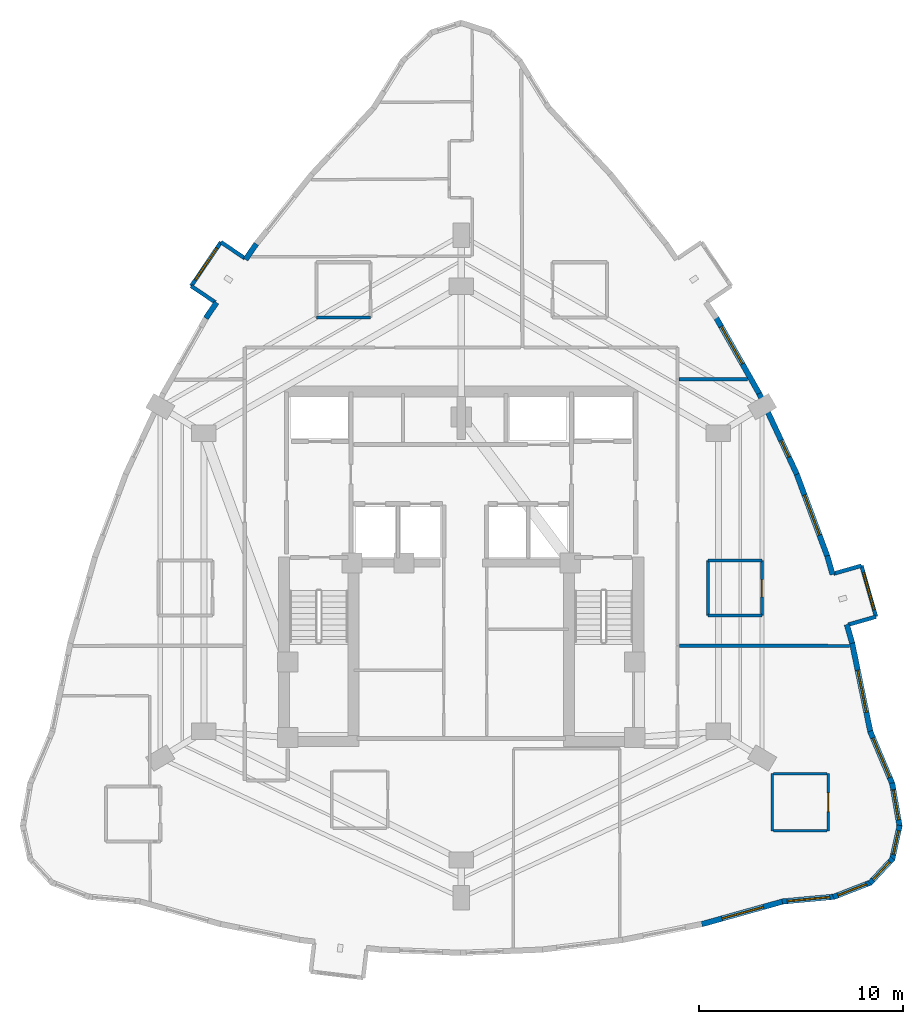
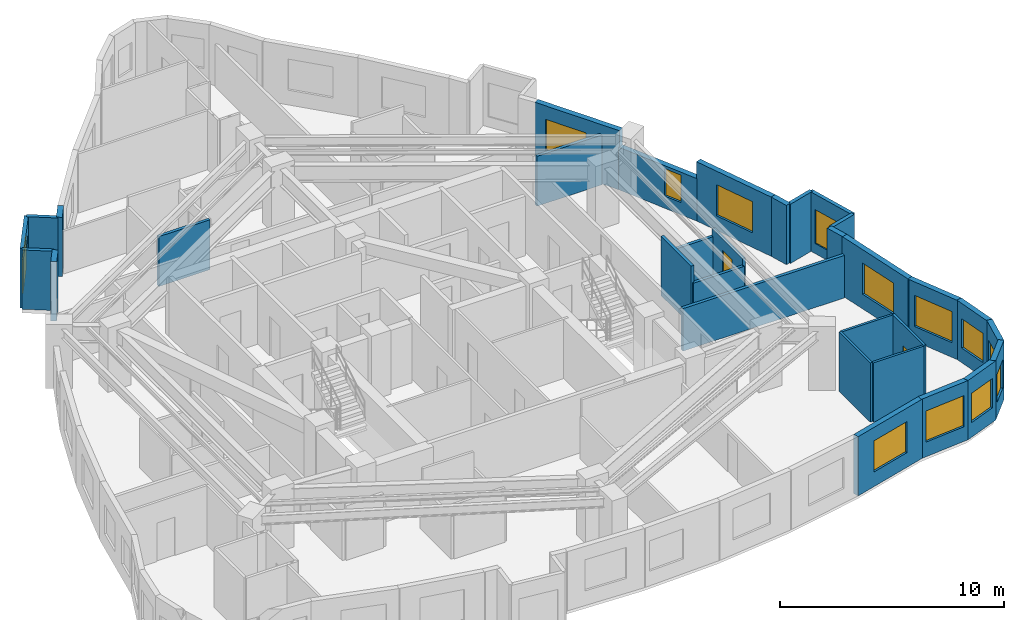
# One storey, part 8 of 11: 32 walls, 13 windows, 2 doors, 15 openings.
"""IFC4 building model written with IfcOpenShell, lengths in metres."""

from ifc_helpers import new_model, si_unit, direction, frame, frame_2d, origin, place, context, subcontext, project, spatial, rectangle, extrude, material, layer, layer_set, type_object, element, fill, save


model = new_model("IFC4")

# Units and contexts
model_context = context("Model", 3, precision=1e-05, world=origin(), true_north=direction((0.0, 1.0)))
body_context = subcontext(model_context, "Body", "Model", "MODEL_VIEW")
ifc_project = project(units=[si_unit("LENGTHUNIT", "METRE"), si_unit("AREAUNIT", "SQUARE_METRE"), si_unit("VOLUMEUNIT", "CUBIC_METRE"), si_unit("PLANEANGLEUNIT", "RADIAN"), si_unit("MASSUNIT", "GRAM", prefix="KILO")], contexts=[model_context])

# Site, building, storey
site_placement = place(None, origin())
site = spatial("IfcSite", under=ifc_project, at=site_placement, CompositionType="ELEMENT")
building_placement = place(site_placement, origin())
building = spatial("IfcBuilding", under=site, at=building_placement, Name="Miruveldt Soraemaru", CompositionType="ELEMENT")
storey_placement = place(building_placement, frame((0.0, 0.0, 149.39990234375)))
storey = spatial("IfcBuildingStorey", under=building, at=storey_placement, Name="L41", CompositionType="ELEMENT", Elevation=149.39990234375)

# Walls
ifc_material_1 = material(Name="White powder-coated aluminium EN AW-6060 T6", Category="aluminium")
ifc_layer_1 = layer(ifc_material_1, 0.18994140625, Name="White powder-coated aluminium EN AW-6060 T6", Category="aluminium")
ifc_layer_set_1 = layer_set([ifc_layer_1], Name="White powder-coated aluminium EN AW-6060 T6")
wall_type_1 = type_object("IfcWallType", Name="WALL-BAY-ALU190", PredefinedType="SOLIDWALL", material=ifc_layer_set_1)
wall_1_placement = place(storey_placement, frame((33.4111328125, 58.968505859375, 0.0), z_axis=(0.0, 0.0, 1.0), x_axis=(-0.82794178844, 0.560814046681, 0.0)))
element("IfcWall", 1, at=wall_1_placement, inside=storey, type_object=wall_type_1, Name="L41 Bay Window Side Cheek 4L", PredefinedType="SOLIDWALL", context=body_context, shape_type="SweptSolid", body=[
    extrude(rectangle(XDim=1.4248046875, YDim=0.18994140625, at=frame_2d((0.71240234375, 0.0))), origin(), (0.0, 0.0, 1.0), 3.235107421875),
])
wall_2_placement = place(storey_placement, frame((30.773193359375, 57.614990234375, 0.0), z_axis=(0.0, 0.0, 1.0), x_axis=(0.827995667279, -0.560734495966, 0.0)))
element("IfcWall", 2, at=wall_2_placement, inside=storey, type_object=wall_type_1, Name="L41 Bay Window Side Cheek 4R", PredefinedType="SOLIDWALL", context=body_context, shape_type="SweptSolid", body=[
    extrude(rectangle(XDim=1.425048828125, YDim=0.18994140625, at=frame_2d((0.71240234375, 0.0))), origin(), (0.0, 0.0, 1.0), 3.235107421875),
])

# Wall, opening, window
wall_3_placement = place(storey_placement, frame((32.2314453125, 59.767578125, 0.0), z_axis=(0.0, 0.0, 1.0), x_axis=(-0.560860602504, -0.827910251512, 0.0)))
wall_3 = element("IfcWall", 3, at=wall_3_placement, inside=storey, type_object=wall_type_1, Name="L41 Bay Window Front Frame 4", PredefinedType="SOLIDWALL", context=body_context, shape_type="SweptSolid", body=[
    extrude(rectangle(XDim=2.60009765625, YDim=0.18994140625, at=frame_2d((1.300048828125, 0.0))), origin(), (0.0, 0.0, 1.0), 3.235107421875),
])
opening_1_placement = place(wall_3_placement, frame((0.35009765625, 0.0, 0.550048828125)))
opening_1 = element("IfcOpeningElement", 4, at=opening_1_placement, cuts=wall_3, Name="Opening WN-6", PredefinedType="OPENING", context=body_context, shape_type="SweptSolid", body=[
    extrude(rectangle(XDim=1.89990234375, YDim=1.85009765625, at=frame_2d((0.949951171875, 0.925048828125))), frame((0.0, 0.10498046875, 0.0), z_axis=(0.0, -1.0, 0.0), x_axis=(1.0, 0.0, 0.0)), (0.0, 0.0, 1.0), 0.2099609375),
])
ifc_material_2 = material(Name="Triple low-e insulated glazing", Category="glass")
window_type_1 = type_object("IfcWindowType", Name="WIN-BAYW-1900x1850", PartitioningType="SINGLE_PANEL", PredefinedType="WINDOW", material=ifc_material_2)
window_1_placement = place(opening_1_placement, origin())
window_1 = element("IfcWindow", 5, at=window_1_placement, inside=storey, type_object=window_type_1, Name="L41 Projecting Bay Window 4", OverallHeight=1.85009765625, OverallWidth=1.89990234375, PartitioningType="SINGLE_PANEL", PredefinedType="WINDOW", context=body_context, shape_type="SweptSolid", body=[
    extrude(rectangle(XDim=1.89990234375, YDim=1.85009765625, at=frame_2d((0.949951171875, 0.925048828125))), frame((0.0, 0.030029296875, 0.0), z_axis=(0.0, -1.0, 0.0), x_axis=(1.0, 0.0, 0.0)), (0.0, 0.0, 1.0), 0.06005859375),
])
fill(opening_1, window_1)

# Walls
wall_4_placement = place(storey_placement, frame((62.950927734375, 41.025634765625, 0.0), z_axis=(0.0, 0.0, 1.0), x_axis=(0.961452801096, 0.274970018845, 0.0)))
element("IfcWall", 6, at=wall_4_placement, inside=storey, type_object=wall_type_1, Name="L41 Bay Window Side Cheek 2L", PredefinedType="SOLIDWALL", context=body_context, shape_type="SweptSolid", body=[
    extrude(rectangle(XDim=1.425048828125, YDim=0.18994140625, at=frame_2d((0.71240234375, 0.0))), origin(), (0.0, 0.0, 1.0), 3.235107421875),
])
wall_5_placement = place(storey_placement, frame((63.60595703125, 43.917236328125, 0.0), z_axis=(0.0, 0.0, 1.0), x_axis=(-0.961439844578, -0.275015318223, 0.0)))
element("IfcWall", 7, at=wall_5_placement, inside=storey, type_object=wall_type_1, Name="L41 Bay Window Side Cheek 2R", PredefinedType="SOLIDWALL", context=body_context, shape_type="SweptSolid", body=[
    extrude(rectangle(XDim=1.4248046875, YDim=0.18994140625, at=frame_2d((0.71240234375, 0.0))), origin(), (0.0, 0.0, 1.0), 3.235107421875),
])

# Wall, opening, window
wall_6_placement = place(storey_placement, frame((64.321044921875, 41.41748046875, 0.0), z_axis=(0.0, 0.0, 1.0), x_axis=(-0.275031158597, 0.961435313373, 0.0)))
wall_6 = element("IfcWall", 8, at=wall_6_placement, inside=storey, type_object=wall_type_1, Name="L41 Bay Window Front Frame 2", PredefinedType="SOLIDWALL", context=body_context, shape_type="SweptSolid", body=[
    extrude(rectangle(XDim=2.60009765625, YDim=0.18994140625, at=frame_2d((1.300048828125, 0.0))), origin(), (0.0, 0.0, 1.0), 3.235107421875),
])
opening_2_placement = place(wall_6_placement, frame((0.35009765625, 0.0, 0.550048828125)))
opening_2 = element("IfcOpeningElement", 9, at=opening_2_placement, cuts=wall_6, Name="Opening WN-6", PredefinedType="OPENING", context=body_context, shape_type="SweptSolid", body=[
    extrude(rectangle(XDim=1.89990234375, YDim=1.85009765625, at=frame_2d((0.949951171875, 0.925048828125))), frame((0.0, 0.10498046875, 0.0), z_axis=(0.0, -1.0, 0.0), x_axis=(1.0, 0.0, 0.0)), (0.0, 0.0, 1.0), 0.2099609375),
])
window_2_placement = place(opening_2_placement, origin())
window_2 = element("IfcWindow", 10, at=window_2_placement, inside=storey, type_object=window_type_1, Name="L41 Projecting Bay Window 2", OverallHeight=1.85009765625, OverallWidth=1.89990234375, PartitioningType="SINGLE_PANEL", PredefinedType="WINDOW", context=body_context, shape_type="SweptSolid", body=[
    extrude(rectangle(XDim=1.89990234375, YDim=1.85009765625, at=frame_2d((0.949951171875, 0.925048828125))), frame((0.0, 0.030029296875, 0.0), z_axis=(0.0, -1.0, 0.0), x_axis=(1.0, 0.0, 0.0)), (0.0, 0.0, 1.0), 0.06005859375),
])
fill(opening_2, window_2)

# Walls
ifc_material_3 = material(Name="Precast concrete C45/55 (45 MPa)", Category="concrete")
ifc_layer_2 = layer(ifc_material_3, 0.27001953125, Name="Precast concrete C45/55 (45 MPa)", Category="concrete")
ifc_layer_set_2 = layer_set([ifc_layer_2], Name="Precast concrete C45/55 (45 MPa)")
wall_type_2 = type_object("IfcWallType", Name="WALL-EXT-PC270", PredefinedType="SOLIDWALL", material=ifc_layer_set_2)
for number, where, z_axis, x_axis, name in (
    (11, (33.96142578125, 59.682861328125, 0.0), (0.0, 0.0, 1.0), (-0.56074365682, -0.8279894633, 0.0), "L41 Precast Pier Wall 9A"),
    (12, (32.015380859375, 56.809814453125, 0.0), (0.0, 0.0, 1.0), (-0.56074365682, -0.8279894633, 0.0), "L41 Precast Pier Wall 9B"),
):
    element("IfcWall", number, at=place(storey_placement, frame(where, z_axis=z_axis, x_axis=x_axis)), inside=storey, type_object=wall_type_2, Name=name, PredefinedType="SOLIDWALL", context=body_context, shape_type="SweptSolid", body=[
        extrude(rectangle(XDim=0.929931640625, YDim=0.27001953125, at=frame_2d((0.46484375, 0.0))), origin(), (0.0, 0.0, 1.0), 3.235107421875),
    ])

# Wall, opening, window
wall_7_placement = place(storey_placement, frame((55.78564453125, 26.356689453125, 0.0), z_axis=(0.0, 0.0, 1.0), x_axis=(0.962978032601, 0.269579874485, 0.0)))
wall_7 = element("IfcWall", 13, at=wall_7_placement, inside=storey, type_object=wall_type_2, Name="L41 Precast Concrete Facade Wall 28", PredefinedType="SOLIDWALL", context=body_context, shape_type="SweptSolid", body=[
    extrude(rectangle(XDim=4.161376953125, YDim=0.27001953125, at=frame_2d((2.08056640625, 0.0))), origin(), (0.0, 0.0, 1.0), 3.235107421875),
])
opening_3_placement = place(wall_7_placement, frame((1.030029296875, 0.0, 0.800048828125)))
opening_3 = element("IfcOpeningElement", 14, at=opening_3_placement, cuts=wall_7, Name="Opening WN-1", PredefinedType="OPENING", context=body_context, shape_type="SweptSolid", body=[
    extrude(rectangle(XDim=2.10009765625, YDim=1.699951171875, at=frame_2d((1.050048828125, 0.85009765625))), frame((0.0, 0.14501953125, 0.0), z_axis=(0.0, -1.0, 0.0), x_axis=(1.0, 0.0, 0.0)), (0.0, 0.0, 1.0), 0.2900390625),
])
window_type_2 = type_object("IfcWindowType", Name="WIN-PUNCH-2100x1700", PartitioningType="SINGLE_PANEL", PredefinedType="WINDOW", material=ifc_material_2)
window_3_placement = place(opening_3_placement, origin())
window_3 = element("IfcWindow", 15, at=window_3_placement, inside=storey, type_object=window_type_2, Name="L41 Punched Triple-Glazed Window 28.1", OverallHeight=1.699951171875, OverallWidth=2.10009765625, PartitioningType="SINGLE_PANEL", PredefinedType="WINDOW", context=body_context, shape_type="SweptSolid", body=[
    extrude(rectangle(XDim=2.10009765625, YDim=1.699951171875, at=frame_2d((1.050048828125, 0.85009765625))), frame((0.0, 0.030029296875, 0.0), z_axis=(0.0, -1.0, 0.0), x_axis=(1.0, 0.0, 0.0)), (0.0, 0.0, 1.0), 0.06005859375),
])
fill(opening_3, window_3)

wall_8_placement = place(storey_placement, frame((59.724365234375, 27.466064453125, 0.0), z_axis=(0.0, 0.0, 1.0), x_axis=(0.995768944137, 0.091892382129, 0.0)))
wall_8 = element("IfcWall", 16, at=wall_8_placement, inside=storey, type_object=wall_type_2, Name="L41 Precast Concrete Facade Wall 29", PredefinedType="SOLIDWALL", context=body_context, shape_type="SweptSolid", body=[
    extrude(rectangle(XDim=2.579833984375, YDim=0.27001953125, at=frame_2d((1.2900390625, 0.0))), origin(), (0.0, 0.0, 1.0), 3.235107421875),
])
opening_4_placement = place(wall_8_placement, frame((0.239990234375, 0.0, 0.800048828125)))
opening_4 = element("IfcOpeningElement", 17, at=opening_4_placement, cuts=wall_8, Name="Opening WN-1", PredefinedType="OPENING", context=body_context, shape_type="SweptSolid", body=[
    extrude(rectangle(XDim=2.10009765625, YDim=1.699951171875, at=frame_2d((1.050048828125, 0.85009765625))), frame((0.0, 0.14501953125, 0.0), z_axis=(0.0, -1.0, 0.0), x_axis=(1.0, 0.0, 0.0)), (0.0, 0.0, 1.0), 0.2900390625),
])
window_4_placement = place(opening_4_placement, origin())
window_4 = element("IfcWindow", 18, at=window_4_placement, inside=storey, type_object=window_type_2, Name="L41 Punched Triple-Glazed Window 29.1", OverallHeight=1.699951171875, OverallWidth=2.10009765625, PartitioningType="SINGLE_PANEL", PredefinedType="WINDOW", context=body_context, shape_type="SweptSolid", body=[
    extrude(rectangle(XDim=2.10009765625, YDim=1.699951171875, at=frame_2d((1.050048828125, 0.85009765625))), frame((0.0, 0.030029296875, 0.0), z_axis=(0.0, -1.0, 0.0), x_axis=(1.0, 0.0, 0.0)), (0.0, 0.0, 1.0), 0.06005859375),
])
fill(opening_4, window_4)

wall_9_placement = place(storey_placement, frame((62.2255859375, 27.687255859375, 0.0), z_axis=(0.0, 0.0, 1.0), x_axis=(0.93226989237, 0.361763524668, 0.0)))
wall_9 = element("IfcWall", 19, at=wall_9_placement, inside=storey, type_object=wall_type_2, Name="L41 Precast Concrete Facade Wall 30", PredefinedType="SOLIDWALL", context=body_context, shape_type="SweptSolid", body=[
    extrude(rectangle(XDim=1.98486328125, YDim=0.27001953125, at=frame_2d((0.992431640625, 0.0))), origin(), (0.0, 0.0, 1.0), 3.235107421875),
])
opening_5_placement = place(wall_9_placement, frame((0.241943359375, 0.0, 0.800048828125)))
opening_5 = element("IfcOpeningElement", 20, at=opening_5_placement, cuts=wall_9, Name="Opening WN-3", PredefinedType="OPENING", context=body_context, shape_type="SweptSolid", body=[
    extrude(rectangle(XDim=1.5, YDim=1.60009765625, at=frame_2d((0.75, 0.800048828125))), frame((0.0, 0.14501953125, 0.0), z_axis=(0.0, -1.0, 0.0), x_axis=(1.0, 0.0, 0.0)), (0.0, 0.0, 1.0), 0.2900390625),
])
window_type_3 = type_object("IfcWindowType", Name="WIN-PUNCH-1500x1600", PartitioningType="SINGLE_PANEL", PredefinedType="WINDOW", material=ifc_material_2)
window_5_placement = place(opening_5_placement, origin())
window_5 = element("IfcWindow", 21, at=window_5_placement, inside=storey, type_object=window_type_3, Name="L41 Punched Triple-Glazed Window 30.1", OverallHeight=1.60009765625, OverallWidth=1.5, PartitioningType="SINGLE_PANEL", PredefinedType="WINDOW", context=body_context, shape_type="SweptSolid", body=[
    extrude(rectangle(XDim=1.5, YDim=1.60009765625, at=frame_2d((0.75, 0.800048828125))), frame((0.0, 0.030029296875, 0.0), z_axis=(0.0, -1.0, 0.0), x_axis=(1.0, 0.0, 0.0)), (0.0, 0.0, 1.0), 0.06005859375),
])
fill(opening_5, window_5)

wall_10_placement = place(storey_placement, frame((64.01953125, 28.366943359375, 0.0), z_axis=(0.0, 0.0, 1.0), x_axis=(0.680189136537, 0.733036655657, 0.0)))
wall_10 = element("IfcWall", 22, at=wall_10_placement, inside=storey, type_object=wall_type_2, Name="L41 Precast Concrete Facade Wall 31", PredefinedType="SOLIDWALL", context=body_context, shape_type="SweptSolid", body=[
    extrude(rectangle(XDim=1.64453125, YDim=0.27001953125, at=frame_2d((0.822265625, 0.0))), origin(), (0.0, 0.0, 1.0), 3.235107421875),
])
opening_6_placement = place(wall_10_placement, frame((0.222900390625, 0.0, 0.780029296875)))
opening_6 = element("IfcOpeningElement", 23, at=opening_6_placement, cuts=wall_10, Name="Opening WN-4", PredefinedType="OPENING", context=body_context, shape_type="SweptSolid", body=[
    extrude(rectangle(XDim=1.199951171875, YDim=1.550048828125, at=frame_2d((0.60009765625, 0.77490234375))), frame((0.0, 0.14501953125, 0.0), z_axis=(0.0, -1.0, 0.0), x_axis=(1.0, 0.0, 0.0)), (0.0, 0.0, 1.0), 0.2900390625),
])
window_type_4 = type_object("IfcWindowType", Name="WIN-PUNCH-1200x1550", PartitioningType="SINGLE_PANEL", PredefinedType="WINDOW", material=ifc_material_2)
window_6_placement = place(opening_6_placement, origin())
window_6 = element("IfcWindow", 24, at=window_6_placement, inside=storey, type_object=window_type_4, Name="L41 Punched Triple-Glazed Window 31.1", OverallHeight=1.550048828125, OverallWidth=1.199951171875, PartitioningType="SINGLE_PANEL", PredefinedType="WINDOW", context=body_context, shape_type="SweptSolid", body=[
    extrude(rectangle(XDim=1.199951171875, YDim=1.550048828125, at=frame_2d((0.60009765625, 0.77490234375))), frame((0.0, 0.030029296875, 0.0), z_axis=(0.0, -1.0, 0.0), x_axis=(1.0, 0.0, 0.0)), (0.0, 0.0, 1.0), 0.06005859375),
])
fill(opening_6, window_6)

wall_11_placement = place(storey_placement, frame((65.106689453125, 29.5126953125, 0.0), z_axis=(0.0, 0.0, 1.0), x_axis=(0.215836362182, 0.976429549307, 0.0)))
wall_11 = element("IfcWall", 25, at=wall_11_placement, inside=storey, type_object=wall_type_2, Name="L41 Precast Concrete Facade Wall 32", PredefinedType="SOLIDWALL", context=body_context, shape_type="SweptSolid", body=[
    extrude(rectangle(XDim=1.72509765625, YDim=0.27001953125, at=frame_2d((0.862548828125, 0.0))), origin(), (0.0, 0.0, 1.0), 3.235107421875),
])
opening_7_placement = place(wall_11_placement, frame((0.261962890625, 0.0, 0.780029296875)))
opening_7 = element("IfcOpeningElement", 26, at=opening_7_placement, cuts=wall_11, Name="Opening WN-4", PredefinedType="OPENING", context=body_context, shape_type="SweptSolid", body=[
    extrude(rectangle(XDim=1.199951171875, YDim=1.550048828125, at=frame_2d((0.60009765625, 0.77490234375))), frame((0.0, 0.14501953125, 0.0), z_axis=(0.0, -1.0, 0.0), x_axis=(1.0, 0.0, 0.0)), (0.0, 0.0, 1.0), 0.2900390625),
])
window_7_placement = place(opening_7_placement, origin())
window_7 = element("IfcWindow", 27, at=window_7_placement, inside=storey, type_object=window_type_4, Name="L41 Punched Triple-Glazed Window 32.1", OverallHeight=1.550048828125, OverallWidth=1.199951171875, PartitioningType="SINGLE_PANEL", PredefinedType="WINDOW", context=body_context, shape_type="SweptSolid", body=[
    extrude(rectangle(XDim=1.199951171875, YDim=1.550048828125, at=frame_2d((0.60009765625, 0.77490234375))), frame((0.0, 0.030029296875, 0.0), z_axis=(0.0, -1.0, 0.0), x_axis=(1.0, 0.0, 0.0)), (0.0, 0.0, 1.0), 0.06005859375),
])
fill(opening_7, window_7)

wall_12_placement = place(storey_placement, frame((65.477294921875, 31.12841796875, 0.0), z_axis=(0.0, 0.0, 1.0), x_axis=(-0.169377605591, 0.985551229883, 0.0)))
wall_12 = element("IfcWall", 28, at=wall_12_placement, inside=storey, type_object=wall_type_2, Name="L41 Precast Concrete Facade Wall 33", PredefinedType="SOLIDWALL", context=body_context, shape_type="SweptSolid", body=[
    extrude(rectangle(XDim=2.177978515625, YDim=0.27001953125, at=frame_2d((1.0888671875, 0.0))), origin(), (0.0, 0.0, 1.0), 3.235107421875),
])
opening_8_placement = place(wall_12_placement, frame((0.339111328125, 0.0, 0.800048828125)))
opening_8 = element("IfcOpeningElement", 29, at=opening_8_placement, cuts=wall_12, Name="Opening WN-3", PredefinedType="OPENING", context=body_context, shape_type="SweptSolid", body=[
    extrude(rectangle(XDim=1.5, YDim=1.60009765625, at=frame_2d((0.75, 0.800048828125))), frame((0.0, 0.14501953125, 0.0), z_axis=(0.0, -1.0, 0.0), x_axis=(1.0, 0.0, 0.0)), (0.0, 0.0, 1.0), 0.2900390625),
])
window_8_placement = place(opening_8_placement, origin())
window_8 = element("IfcWindow", 30, at=window_8_placement, inside=storey, type_object=window_type_3, Name="L41 Punched Triple-Glazed Window 33.1", OverallHeight=1.60009765625, OverallWidth=1.5, PartitioningType="SINGLE_PANEL", PredefinedType="WINDOW", context=body_context, shape_type="SweptSolid", body=[
    extrude(rectangle(XDim=1.5, YDim=1.60009765625, at=frame_2d((0.75, 0.800048828125))), frame((0.0, 0.030029296875, 0.0), z_axis=(0.0, -1.0, 0.0), x_axis=(1.0, 0.0, 0.0)), (0.0, 0.0, 1.0), 0.06005859375),
])
fill(opening_8, window_8)

wall_13_placement = place(storey_placement, frame((65.1279296875, 33.208251953125, 0.0), z_axis=(0.0, 0.0, 1.0), x_axis=(-0.388605388091, 0.921404282791, 0.0)))
wall_13 = element("IfcWall", 31, at=wall_13_placement, inside=storey, type_object=wall_type_2, Name="L41 Precast Concrete Facade Wall 34", PredefinedType="SOLIDWALL", context=body_context, shape_type="SweptSolid", body=[
    extrude(rectangle(XDim=2.825927734375, YDim=0.27001953125, at=frame_2d((1.4130859375, 0.0))), origin(), (0.0, 0.0, 1.0), 3.235107421875),
])
opening_9_placement = place(wall_13_placement, frame((0.363037109375, 0.0, 0.800048828125)))
opening_9 = element("IfcOpeningElement", 32, at=opening_9_placement, cuts=wall_13, Name="Opening WN-1", PredefinedType="OPENING", context=body_context, shape_type="SweptSolid", body=[
    extrude(rectangle(XDim=2.10009765625, YDim=1.699951171875, at=frame_2d((1.050048828125, 0.85009765625))), frame((0.0, 0.14501953125, 0.0), z_axis=(0.0, -1.0, 0.0), x_axis=(1.0, 0.0, 0.0)), (0.0, 0.0, 1.0), 0.2900390625),
])
window_9_placement = place(opening_9_placement, origin())
window_9 = element("IfcWindow", 33, at=window_9_placement, inside=storey, type_object=window_type_2, Name="L41 Punched Triple-Glazed Window 34.1", OverallHeight=1.699951171875, OverallWidth=2.10009765625, PartitioningType="SINGLE_PANEL", PredefinedType="WINDOW", context=body_context, shape_type="SweptSolid", body=[
    extrude(rectangle(XDim=2.10009765625, YDim=1.699951171875, at=frame_2d((1.050048828125, 0.85009765625))), frame((0.0, 0.030029296875, 0.0), z_axis=(0.0, -1.0, 0.0), x_axis=(1.0, 0.0, 0.0)), (0.0, 0.0, 1.0), 0.06005859375),
])
fill(opening_9, window_9)

wall_14_placement = place(storey_placement, frame((64.05029296875, 35.74560546875, 0.0), z_axis=(0.0, 0.0, 1.0), x_axis=(-0.201580000439, 0.979472053416, 0.0)))
wall_14 = element("IfcWall", 34, at=wall_14_placement, inside=storey, type_object=wall_type_2, Name="L41 Precast Concrete Facade Wall 35", PredefinedType="SOLIDWALL", context=body_context, shape_type="SweptSolid", body=[
    extrude(rectangle(XDim=4.534423828125, YDim=0.27001953125, at=frame_2d((2.26708984375, 0.0))), origin(), (0.0, 0.0, 1.0), 3.235107421875),
])
opening_10_placement = place(wall_14_placement, frame((1.010009765625, 0.0, 0.800048828125)))
opening_10 = element("IfcOpeningElement", 35, at=opening_10_placement, cuts=wall_14, Name="Opening WN-1", PredefinedType="OPENING", context=body_context, shape_type="SweptSolid", body=[
    extrude(rectangle(XDim=2.10009765625, YDim=1.699951171875, at=frame_2d((1.050048828125, 0.85009765625))), frame((0.0, 0.14501953125, 0.0), z_axis=(0.0, -1.0, 0.0), x_axis=(1.0, 0.0, 0.0)), (0.0, 0.0, 1.0), 0.2900390625),
])
window_10_placement = place(opening_10_placement, origin())
window_10 = element("IfcWindow", 36, at=window_10_placement, inside=storey, type_object=window_type_2, Name="L41 Punched Triple-Glazed Window 35.1", OverallHeight=1.699951171875, OverallWidth=2.10009765625, PartitioningType="SINGLE_PANEL", PredefinedType="WINDOW", context=body_context, shape_type="SweptSolid", body=[
    extrude(rectangle(XDim=2.10009765625, YDim=1.699951171875, at=frame_2d((1.050048828125, 0.85009765625))), frame((0.0, 0.030029296875, 0.0), z_axis=(0.0, -1.0, 0.0), x_axis=(1.0, 0.0, 0.0)), (0.0, 0.0, 1.0), 0.06005859375),
])
fill(opening_10, window_10)

# Walls
for number, where, z_axis, x_axis, name in (
    (37, (63.153076171875, 40.118896484375, 0.0), (0.0, 0.0, 1.0), (-0.274923221722, 0.961466183575, 0.0), "L41 Precast Pier Wall 36A"),
    (38, (62.19140625, 43.4814453125, 0.0), (0.0, 0.0, 1.0), (-0.274923221722, 0.961466183575, 0.0), "L41 Precast Pier Wall 36B"),
):
    element("IfcWall", number, at=place(storey_placement, frame(where, z_axis=z_axis, x_axis=x_axis)), inside=storey, type_object=wall_type_2, Name=name, PredefinedType="SOLIDWALL", context=body_context, shape_type="SweptSolid", body=[
        extrude(rectangle(XDim=0.957275390625, YDim=0.27001953125, at=frame_2d((0.478515625, 0.0))), origin(), (0.0, 0.0, 1.0), 3.235107421875),
    ])

# Wall, opening, window
wall_15_placement = place(storey_placement, frame((61.949951171875, 44.335205078125, 0.0), z_axis=(0.0, 0.0, 1.0), x_axis=(-0.348994381094, 0.937124816641, 0.0)))
wall_15 = element("IfcWall", 39, at=wall_15_placement, inside=storey, type_object=wall_type_2, Name="L41 Precast Concrete Facade Wall 37", PredefinedType="SOLIDWALL", context=body_context, shape_type="SweptSolid", body=[
    extrude(rectangle(XDim=4.400146484375, YDim=0.27001953125, at=frame_2d((2.2001953125, 0.0))), origin(), (0.0, 0.0, 1.0), 3.235107421875),
])
opening_11_placement = place(wall_15_placement, frame((1.14990234375, 0.0, 0.800048828125)))
opening_11 = element("IfcOpeningElement", 40, at=opening_11_placement, cuts=wall_15, Name="Opening WN-1", PredefinedType="OPENING", context=body_context, shape_type="SweptSolid", body=[
    extrude(rectangle(XDim=2.10009765625, YDim=1.699951171875, at=frame_2d((1.050048828125, 0.85009765625))), frame((0.0, 0.14501953125, 0.0), z_axis=(0.0, -1.0, 0.0), x_axis=(1.0, 0.0, 0.0)), (0.0, 0.0, 1.0), 0.2900390625),
])
window_11_placement = place(opening_11_placement, origin())
window_11 = element("IfcWindow", 41, at=window_11_placement, inside=storey, type_object=window_type_2, Name="L41 Punched Triple-Glazed Window 37.1", OverallHeight=1.699951171875, OverallWidth=2.10009765625, PartitioningType="SINGLE_PANEL", PredefinedType="WINDOW", context=body_context, shape_type="SweptSolid", body=[
    extrude(rectangle(XDim=2.10009765625, YDim=1.699951171875, at=frame_2d((1.050048828125, 0.85009765625))), frame((0.0, 0.030029296875, 0.0), z_axis=(0.0, -1.0, 0.0), x_axis=(1.0, 0.0, 0.0)), (0.0, 0.0, 1.0), 0.06005859375),
])
fill(opening_11, window_11)

wall_16_placement = place(storey_placement, frame((60.441162109375, 48.394287109375, 0.0), z_axis=(0.0, 0.0, 1.0), x_axis=(-0.422319922238, 0.906446845259, 0.0)))
wall_16 = element("IfcWall", 42, at=wall_16_placement, inside=storey, type_object=wall_type_2, Name="L41 Precast Concrete Facade Wall 38", PredefinedType="SOLIDWALL", context=body_context, shape_type="SweptSolid", body=[
    extrude(rectangle(XDim=4.372802734375, YDim=0.27001953125, at=frame_2d((2.1865234375, 0.0))), origin(), (0.0, 0.0, 1.0), 2.322998046875),
])
opening_12_placement = place(wall_16_placement, frame((0.925048828125, 0.0, 0.6630859375)))
opening_12 = element("IfcOpeningElement", 43, at=opening_12_placement, cuts=wall_16, Name="Opening WN-7", PredefinedType="OPENING", context=body_context, shape_type="SweptSolid", body=[
    extrude(rectangle(XDim=0.89990234375, YDim=1.5, at=frame_2d((0.449951171875, 0.75))), frame((0.0, 0.14501953125, 0.0), z_axis=(0.0, -1.0, 0.0), x_axis=(1.0, 0.0, 0.0)), (0.0, 0.0, 1.0), 0.2900390625),
])
window_type_5 = type_object("IfcWindowType", Name="WIN-PUNCH-900x1500", PartitioningType="SINGLE_PANEL", PredefinedType="WINDOW", material=ifc_material_2)
window_12_placement = place(opening_12_placement, origin())
window_12 = element("IfcWindow", 44, at=window_12_placement, inside=storey, type_object=window_type_5, Name="L41 Punched Triple-Glazed Window 38.1", OverallHeight=1.5, OverallWidth=0.89990234375, PartitioningType="SINGLE_PANEL", PredefinedType="WINDOW", context=body_context, shape_type="SweptSolid", body=[
    extrude(rectangle(XDim=0.89990234375, YDim=1.5, at=frame_2d((0.449951171875, 0.75))), frame((0.0, 0.030029296875, 0.0), z_axis=(0.0, -1.0, 0.0), x_axis=(1.0, 0.0, 0.0)), (0.0, 0.0, 1.0), 0.06005859375),
])
fill(opening_12, window_12)

wall_17_placement = place(storey_placement, frame((58.626708984375, 52.2958984375, 0.0), z_axis=(0.0, 0.0, 1.0), x_axis=(-0.493412614859, 0.869795373348, 0.0)))
wall_17 = element("IfcWall", 45, at=wall_17_placement, inside=storey, type_object=wall_type_2, Name="L41 Precast Concrete Facade Wall 39", PredefinedType="SOLIDWALL", context=body_context, shape_type="SweptSolid", body=[
    extrude(rectangle(XDim=4.37255859375, YDim=0.27001953125, at=frame_2d((2.186279296875, 0.0))), origin(), (0.0, 0.0, 1.0), 3.235107421875),
])
opening_13_placement = place(wall_17_placement, frame((1.73193359375, 0.0, 0.800048828125)))
opening_13 = element("IfcOpeningElement", 46, at=opening_13_placement, cuts=wall_17, Name="Opening WN-1", PredefinedType="OPENING", context=body_context, shape_type="SweptSolid", body=[
    extrude(rectangle(XDim=2.10009765625, YDim=1.699951171875, at=frame_2d((1.050048828125, 0.85009765625))), frame((0.0, 0.14501953125, 0.0), z_axis=(0.0, -1.0, 0.0), x_axis=(1.0, 0.0, 0.0)), (0.0, 0.0, 1.0), 0.2900390625),
])
window_13_placement = place(opening_13_placement, origin())
window_13 = element("IfcWindow", 47, at=window_13_placement, inside=storey, type_object=window_type_2, Name="L41 Punched Triple-Glazed Window 39.1", OverallHeight=1.699951171875, OverallWidth=2.10009765625, PartitioningType="SINGLE_PANEL", PredefinedType="WINDOW", context=body_context, shape_type="SweptSolid", body=[
    extrude(rectangle(XDim=2.10009765625, YDim=1.699951171875, at=frame_2d((1.050048828125, 0.85009765625))), frame((0.0, 0.030029296875, 0.0), z_axis=(0.0, -1.0, 0.0), x_axis=(1.0, 0.0, 0.0)), (0.0, 0.0, 1.0), 0.06005859375),
])
fill(opening_13, window_13)

# Wall, opening, door
ifc_material_4 = material(Name="Gypsum plasterboard lining", Category="gypsum")
ifc_layer_3 = layer(ifc_material_4, 0.1201171875, Name="Gypsum plasterboard lining", Category="gypsum")
ifc_layer_set_3 = layer_set([ifc_layer_3], Name="Gypsum plasterboard lining")
wall_type_3 = type_object("IfcWallType", Name="WALL-INT-P120", PredefinedType="PARTITIONING", material=ifc_layer_set_3)
wall_18_placement = place(storey_placement, frame((61.97998046875, 30.929931640625, 0.0), z_axis=(0.0, 0.0, 1.0), x_axis=(0.0, 1.0, 0.0)))
wall_18 = element("IfcWall", 48, at=wall_18_placement, inside=storey, type_object=wall_type_3, Name="L41 Partition Wall 55", PredefinedType="PARTITIONING", context=body_context, shape_type="SweptSolid", body=[
    extrude(rectangle(XDim=2.800048828125, YDim=0.1201171875, at=frame_2d((1.39990234375, 0.0))), origin(), (0.0, 0.0, 1.0), 3.235107421875),
])
opening_14_placement = place(wall_18_placement, frame((0.93994140625, 0.0, 0.0)))
opening_14 = element("IfcOpeningElement", 49, at=opening_14_placement, cuts=wall_18, Name="Opening D3A", PredefinedType="OPENING", context=body_context, shape_type="SweptSolid", body=[
    extrude(rectangle(XDim=0.919921875, YDim=2.10009765625, at=frame_2d((0.4599609375, 1.050048828125))), frame((0.0, 0.070068359375, 0.0), z_axis=(0.0, -1.0, 0.0), x_axis=(1.0, 0.0, 0.0)), (0.0, 0.0, 1.0), 0.14013671875),
])
ifc_material_5 = material(Name="Anodised aluminium EN AW-6063 T6", Category="aluminium")
door_type_1 = type_object("IfcDoorType", Name="DOOR-INT-920", OperationType="NOTDEFINED", PredefinedType="DOOR", material=ifc_material_5)
door_1_placement = place(opening_14_placement, origin())
door_1 = element("IfcDoor", 50, at=door_1_placement, inside=storey, type_object=door_type_1, Name="L41 Unit 4106 KIT Door", OperationType="SINGLE_SWING_RIGHT", OverallHeight=2.10009765625, OverallWidth=0.919921875, PredefinedType="DOOR", context=body_context, shape_type="SweptSolid", body=[
    extrude(rectangle(XDim=0.919921875, YDim=2.10009765625, at=frame_2d((0.4599609375, 1.050048828125))), frame((0.0, 0.02490234375, 0.0), z_axis=(0.0, -1.0, 0.0), x_axis=(1.0, 0.0, 0.0)), (0.0, 0.0, 1.0), 0.050048828125),
])
fill(opening_14, door_1)

# Walls
wall_19_placement = place(storey_placement, frame((59.22998046875, 33.72998046875, 0.0), z_axis=(0.0, 0.0, 1.0), x_axis=(0.0, -1.0, 0.0)))
element("IfcWall", 51, at=wall_19_placement, inside=storey, type_object=wall_type_3, Name="L41 Partition Wall 57", PredefinedType="PARTITIONING", context=body_context, shape_type="SweptSolid", body=[
    extrude(rectangle(XDim=2.800048828125, YDim=0.1201171875, at=frame_2d((1.39990234375, 0.0))), origin(), (0.0, 0.0, 1.0), 3.235107421875),
])
for number, where, z_axis, x_axis, name in (
    (52, (61.919921875, 33.72998046875, 0.0), (0.0, 0.0, 1.0), (-1.0, 0.0, 0.0), "L41 Partition Wall 56"),
    (53, (59.2900390625, 30.929931640625, 0.0), (0.0, 0.0, 1.0), (1.0, 0.0, 0.0), "L41 Partition Wall 58"),
):
    element("IfcWall", number, at=place(storey_placement, frame(where, z_axis=z_axis, x_axis=x_axis)), inside=storey, type_object=wall_type_3, Name=name, PredefinedType="PARTITIONING", context=body_context, shape_type="SweptSolid", body=[
        extrude(rectangle(XDim=2.6298828125, YDim=0.1201171875, at=frame_2d((1.31494140625, 0.0))), origin(), (0.0, 0.0, 1.0), 3.235107421875),
    ])

# Wall, opening, door
ifc_layer_4 = layer(ifc_material_4, 0.14990234375, Name="Gypsum plasterboard lining", Category="gypsum")
ifc_layer_set_4 = layer_set([ifc_layer_4], Name="Gypsum plasterboard lining")
wall_type_4 = type_object("IfcWallType", Name="WALL-INT-PLUMB", PredefinedType="PLUMBINGWALL", material=ifc_layer_set_4)
wall_20_placement = place(storey_placement, frame((58.72998046875, 41.47998046875, 0.0), z_axis=(0.0, 0.0, 1.0), x_axis=(0.0, 1.0, 0.0)))
wall_20 = element("IfcWall", 54, at=wall_20_placement, inside=storey, type_object=wall_type_4, Name="L41 Partition Wall 37", PredefinedType="PLUMBINGWALL", context=body_context, shape_type="SweptSolid", body=[
    extrude(rectangle(XDim=2.699951171875, YDim=0.14990234375, at=frame_2d((1.35009765625, 0.0))), origin(), (0.0, 0.0, 1.0), 2.72314453125),
])
opening_15_placement = place(wall_20_placement, frame((0.909912109375, 0.0, 0.0)))
opening_15 = element("IfcOpeningElement", 55, at=opening_15_placement, cuts=wall_20, Name="Opening FD3", PredefinedType="OPENING", context=body_context, shape_type="SweptSolid", body=[
    extrude(rectangle(XDim=0.85009765625, YDim=2.10009765625, at=frame_2d((0.425048828125, 1.050048828125))), frame((0.0, 0.0849609375, 0.0), z_axis=(0.0, -1.0, 0.0), x_axis=(1.0, 0.0, 0.0)), (0.0, 0.0, 1.0), 0.169921875),
])
door_type_2 = type_object("IfcDoorType", Name="DOOR-FD3-850", OperationType="NOTDEFINED", PredefinedType="DOOR", material=ifc_material_5)
door_2_placement = place(opening_15_placement, origin())
door_2 = element("IfcDoor", 56, at=door_2_placement, inside=storey, type_object=door_type_2, Name="L41 Unit CL04 BTH Door", OperationType="SINGLE_SWING_RIGHT", OverallHeight=2.10009765625, OverallWidth=0.85009765625, PredefinedType="DOOR", context=body_context, shape_type="SweptSolid", body=[
    extrude(rectangle(XDim=0.85009765625, YDim=2.10009765625, at=frame_2d((0.425048828125, 1.050048828125))), frame((0.0, 0.02490234375, 0.0), z_axis=(0.0, -1.0, 0.0), x_axis=(1.0, 0.0, 0.0)), (0.0, 0.0, 1.0), 0.050048828125),
])
fill(opening_15, door_2)

# Walls
wall_21_placement = place(storey_placement, frame((56.080078125, 44.179931640625, 0.0), z_axis=(0.0, 0.0, 1.0), x_axis=(0.0, -1.0, 0.0)))
element("IfcWall", 57, at=wall_21_placement, inside=storey, type_object=wall_type_4, Name="L41 Partition Wall 39", PredefinedType="PLUMBINGWALL", context=body_context, shape_type="SweptSolid", body=[
    extrude(rectangle(XDim=2.699951171875, YDim=0.14990234375, at=frame_2d((1.35009765625, 0.0))), origin(), (0.0, 0.0, 1.0), 3.235107421875),
])
wall_22_placement = place(storey_placement, frame((36.906982421875, 56.080078125, 0.0), z_axis=(0.0, 0.0, 1.0), x_axis=(1.0, 0.0, 0.0)))
element("IfcWall", 58, at=wall_22_placement, inside=storey, type_object=wall_type_4, Name="L41 Partition Wall 15", PredefinedType="PLUMBINGWALL", context=body_context, shape_type="SweptSolid", body=[
    extrude(rectangle(XDim=2.64990234375, YDim=0.14990234375, at=frame_2d((1.324951171875, 0.0))), origin(), (0.0, 0.0, 1.0), 2.72314453125),
])
for number, where, z_axis, x_axis, name in (
    (59, (58.72998046875, 44.179931640625, 0.0), (0.0, 0.0, 1.0), (-1.0, 0.0, 0.0), "L41 Partition Wall 38"),
    (60, (56.080078125, 41.47998046875, 0.0), (0.0, 0.0, 1.0), (1.0, 0.0, 0.0), "L41 Partition Wall 40"),
):
    element("IfcWall", number, at=place(storey_placement, frame(where, z_axis=z_axis, x_axis=x_axis)), inside=storey, type_object=wall_type_4, Name=name, PredefinedType="PLUMBINGWALL", context=body_context, shape_type="SweptSolid", body=[
        extrude(rectangle(XDim=2.64990234375, YDim=0.14990234375, at=frame_2d((1.324951171875, 0.0))), origin(), (0.0, 0.0, 1.0), 2.322998046875),
    ])
ifc_material_6 = material(Name="Concrete C40/50 (40 MPa)", Category="concrete")
ifc_layer_5 = layer(ifc_material_6, 0.159912109375, Name="Concrete C40/50 (40 MPa)", Category="concrete")
ifc_layer_set_5 = layer_set([ifc_layer_5], Name="Concrete C40/50 (40 MPa)")
wall_type_5 = type_object("IfcWallType", Name="WALL-INT-RC160", PredefinedType="SOLIDWALL", material=ifc_layer_set_5)
wall_23_placement = place(storey_placement, frame((54.68603515625, 40.0, 0.0), z_axis=(0.0, 0.0, 1.0), x_axis=(0.999998795828, -0.001551883819, 0.0)))
element("IfcWall", 61, at=wall_23_placement, inside=storey, type_object=wall_type_5, Name="L41 Partition Wall 41", PredefinedType="SOLIDWALL", context=body_context, shape_type="SweptSolid", body=[
    extrude(rectangle(XDim=8.337890625, YDim=0.159912109375, at=frame_2d((4.1689453125, 0.0))), origin(), (0.0, 0.0, 1.0), 2.322998046875),
])
wall_24_placement = place(storey_placement, frame((54.679931640625, 53.050048828125, 0.0), z_axis=(0.0, 0.0, 1.0), x_axis=(1.0, 0.0, 0.0)))
element("IfcWall", 62, at=wall_24_placement, inside=storey, type_object=wall_type_5, Name="L41 Partition Wall 31", PredefinedType="SOLIDWALL", context=body_context, shape_type="SweptSolid", body=[
    extrude(rectangle(XDim=3.345947265625, YDim=0.159912109375, at=frame_2d((1.6728515625, 0.0))), origin(), (0.0, 0.0, 1.0), 2.72314453125),
])

save(model, "model.ifc")
